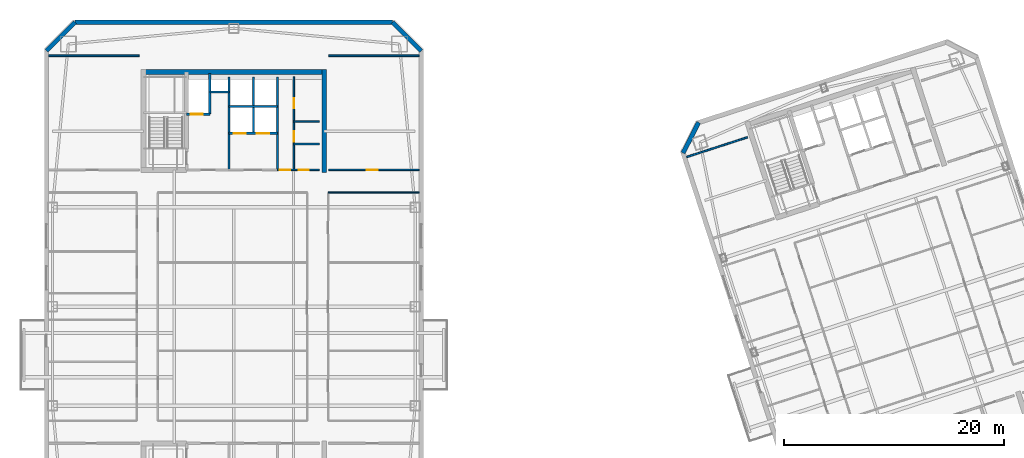
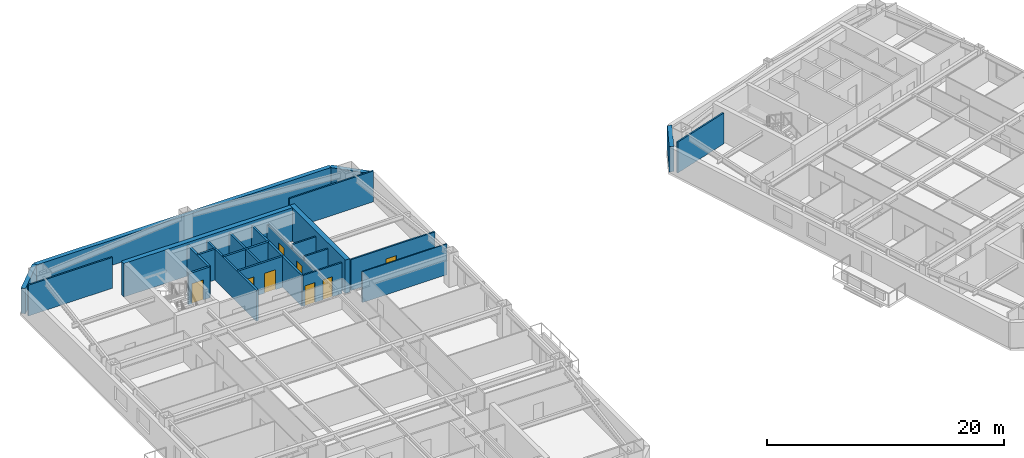
# One storey, part 7 of 15: 23 walls, 8 doors, 8 openings.
"""IFC4 building model written with IfcOpenShell, lengths in metres."""

from ifc_helpers import new_model, si_unit, direction, frame, frame_2d, origin, place, context, subcontext, project, spatial, rectangle, extrude, material, layer, layer_set, type_object, element, fill, save


model = new_model("IFC4")

# Units and contexts
model_context = context("Model", 3, precision=1e-05, world=origin(), true_north=direction((0.0, 1.0)))
body_context = subcontext(model_context, "Body", "Model", "MODEL_VIEW")
ifc_project = project(units=[si_unit("LENGTHUNIT", "METRE"), si_unit("AREAUNIT", "SQUARE_METRE"), si_unit("VOLUMEUNIT", "CUBIC_METRE"), si_unit("PLANEANGLEUNIT", "RADIAN"), si_unit("MASSUNIT", "GRAM", prefix="KILO")], contexts=[model_context])

# Site, building, storey
site_placement = place(None, origin())
site = spatial("IfcSite", under=ifc_project, at=site_placement, CompositionType="ELEMENT")
building_placement = place(site_placement, origin())
building = spatial("IfcBuilding", under=site, at=building_placement, Name="Qiaolan Cultural Towers", CompositionType="ELEMENT")
storey_placement = place(building_placement, frame((0.0, 0.0, 209.300048828125)))
storey = spatial("IfcBuildingStorey", under=building, at=storey_placement, Name="L56", CompositionType="ELEMENT", Elevation=209.300048828125)

# Walls
ifc_material_1 = material(Name="Concrete C50", Category="concrete")
ifc_layer_1 = layer(ifc_material_1, 0.449951171875)
ifc_layer_set_1 = layer_set([ifc_layer_1], Name="Concrete C50")
wall_type_1 = type_object("IfcWallType", Name="WL-CORE-450", PredefinedType="SHEAR", material=ifc_layer_set_1)
wall_1_placement = place(storey_placement, frame((21.574951171875, 55.280029296875, 0.0), z_axis=(0.0, 0.0, 1.0), x_axis=(1.0, 0.0, 0.0)))
element("IfcWall", 1, at=wall_1_placement, inside=storey, type_object=wall_type_1, Name="L56 T1-CN Outer Core Shear Wall", PredefinedType="SHEAR", context=body_context, shape_type="SweptSolid", body=[
    extrude(rectangle(XDim=16.85009765625, YDim=0.449951171875, at=frame_2d((8.425048828125, 0.0))), origin(), (0.0, 0.0, 1.0), 3.449951171875),
])
wall_2_placement = place(storey_placement, frame((38.199951171875, 46.175048828125, 0.0), z_axis=(0.0, 0.0, 1.0), x_axis=(0.0, 1.0, 0.0)))
element("IfcWall", 2, at=wall_2_placement, inside=storey, type_object=wall_type_1, Name="L56 T1-CN East Core Shear Wall", PredefinedType="SHEAR", context=body_context, shape_type="SweptSolid", body=[
    extrude(rectangle(XDim=9.329833984375, YDim=0.449951171875, at=frame_2d((4.6650390625, 0.0))), origin(), (0.0, 0.0, 1.0), 3.449951171875),
])
ifc_material_2 = material(Name="Precast Concrete C50 Honed Stone Pier", Category="masonry")
ifc_layer_2 = layer(ifc_material_2, 0.39990234375)
ifc_layer_set_2 = layer_set([ifc_layer_2], Name="Precast Concrete C50 Honed Stone Pier")
wall_type_2 = type_object("IfcWallType", Name="WL-EXT-PIER-400", PredefinedType="SOLIDWALL", material=ifc_layer_set_2)
wall_3_placement = place(storey_placement, frame((13.0, 57.199951171875, 0.0), z_axis=(0.0, 0.0, 1.0), x_axis=(0.707106781187, 0.707106781187, 0.0)))
element("IfcWall", 3, at=wall_3_placement, inside=storey, type_object=wall_type_2, Name="L56 West Tower Precast Pier Facade Wall F2", PredefinedType="SOLIDWALL", context=body_context, shape_type="SweptSolid", body=[
    extrude(rectangle(XDim=3.677001953125, YDim=0.39990234375, at=frame_2d((1.83837890625, 0.0))), origin(), (0.0, 0.0, 1.0), 2.60986328125),
])
wall_4_placement = place(storey_placement, frame((15.60009765625, 59.800048828125, 0.0), z_axis=(0.0, 0.0, 1.0), x_axis=(1.0, 0.0, 0.0)))
element("IfcWall", 4, at=wall_4_placement, inside=storey, type_object=wall_type_2, Name="L56 West Tower Precast Pier Facade Wall F3", PredefinedType="SOLIDWALL", context=body_context, shape_type="SweptSolid", body=[
    extrude(rectangle(XDim=28.7998046875, YDim=0.39990234375, at=frame_2d((14.39990234375, 0.0))), origin(), (0.0, 0.0, 1.0), 2.60986328125),
])
wall_5_placement = place(storey_placement, frame((44.39990234375, 59.800048828125, 0.0), z_axis=(0.0, 0.0, 1.0), x_axis=(0.707106781187, -0.707106781187, 0.0)))
element("IfcWall", 5, at=wall_5_placement, inside=storey, type_object=wall_type_2, Name="L56 West Tower Precast Pier Facade Wall F4", PredefinedType="SOLIDWALL", context=body_context, shape_type="SweptSolid", body=[
    extrude(rectangle(XDim=3.677001953125, YDim=0.39990234375, at=frame_2d((1.83837890625, 0.0))), origin(), (0.0, 0.0, 1.0), 2.60986328125),
])
wall_6_placement = place(storey_placement, frame((70.752197265625, 47.93408203125, 0.0), z_axis=(0.0, 0.0, 1.0), x_axis=(0.453949291228, 0.891027519774, 0.0)))
element("IfcWall", 6, at=wall_6_placement, inside=storey, type_object=wall_type_2, Name="L56 East Tower Precast Pier Facade Wall F2", PredefinedType="SOLIDWALL", context=body_context, shape_type="SweptSolid", body=[
    extrude(rectangle(XDim=3.111328125, YDim=0.39990234375, at=frame_2d((1.5556640625, 0.0))), origin(), (0.0, 0.0, 1.0), 2.60986328125),
])
ifc_material_3 = material(Name="Concrete C35 Fire Wall", Category="concrete")
ifc_layer_3 = layer(ifc_material_3, 0.199951171875)
ifc_layer_set_3 = layer_set([ifc_layer_3], Name="Concrete C35 Fire Wall")
wall_type_3 = type_object("IfcWallType", Name="WL-FIRE-200", PredefinedType="PARTITIONING", material=ifc_layer_set_3)
wall_7_placement = place(storey_placement, frame((29.550048828125, 46.39990234375, 0.0), z_axis=(0.0, 0.0, 1.0), x_axis=(0.0, 1.0, 0.0)))
element("IfcWall", 7, at=wall_7_placement, inside=storey, type_object=wall_type_3, Name="L56 T1-CN Firefighting Zone Wall", PredefinedType="PARTITIONING", context=body_context, shape_type="SweptSolid", body=[
    extrude(rectangle(XDim=8.43017578125, YDim=0.199951171875, at=frame_2d((4.215087890625, 0.0))), origin(), (0.0, 0.0, 1.0), 3.175048828125),
])

# Wall, opening, door
wall_8_placement = place(storey_placement, frame((25.719970703125, 51.449951171875, 0.0), z_axis=(0.0, 0.0, 1.0), x_axis=(1.0, 0.0, 0.0)))
wall_8 = element("IfcWall", 8, at=wall_8_placement, inside=storey, type_object=wall_type_3, Name="L56 T1-CN Firefighting Shaft Front Wall", PredefinedType="PARTITIONING", context=body_context, shape_type="SweptSolid", body=[
    extrude(rectangle(XDim=2.10009765625, YDim=0.199951171875, at=frame_2d((1.050048828125, 0.0))), origin(), (0.0, 0.0, 1.0), 3.175048828125),
])
opening_1_placement = place(wall_8_placement, frame((0.35009765625, 0.0, 0.0)))
opening_1 = element("IfcOpeningElement", 9, at=opening_1_placement, cuts=wall_8, Name="Opening LD-01", PredefinedType="OPENING", context=body_context, shape_type="SweptSolid", body=[
    extrude(rectangle(XDim=1.10009765625, YDim=2.050048828125, at=frame_2d((0.550048828125, 1.02490234375))), frame((0.0, 0.10986328125, 0.0), z_axis=(0.0, -1.0, 0.0), x_axis=(1.0, 0.0, 0.0)), (0.0, 0.0, 1.0), 0.219970703125),
])
ifc_material_4 = material(Name="Brushed Stainless Steel S30408 Centre-Parting Lift Landing Door", Category="steel")
door_type_1 = type_object("IfcDoorType", Name="DR-LIFT-1100", OperationType="NOTDEFINED", PredefinedType="DOOR", material=ifc_material_4)
door_1_placement = place(opening_1_placement, origin())
door_1 = element("IfcDoor", 10, at=door_1_placement, inside=storey, type_object=door_type_1, Name="L56 FFL-W2 Firefighting Lift Landing Door", OperationType="DOUBLE_DOOR_SLIDING", OverallHeight=2.050048828125, OverallWidth=1.10009765625, PredefinedType="DOOR", context=body_context, shape_type="SweptSolid", body=[
    extrude(rectangle(XDim=1.10009765625, YDim=2.050048828125, at=frame_2d((0.550048828125, 1.02490234375))), frame((0.0, 0.02490234375, 0.0), z_axis=(0.0, -1.0, 0.0), x_axis=(1.0, 0.0, 0.0)), (0.0, 0.0, 1.0), 0.050048828125),
])
fill(opening_1, door_1)

# Walls
wall_9_placement = place(storey_placement, frame((27.820068359375, 51.449951171875, 0.0), z_axis=(0.0, 0.0, 1.0), x_axis=(0.0, 1.0, 0.0)))
element("IfcWall", 11, at=wall_9_placement, inside=storey, type_object=wall_type_3, Name="L56 T1-CN Firefighting Hoistway East Wall", PredefinedType="PARTITIONING", context=body_context, shape_type="SweptSolid", body=[
    extrude(rectangle(XDim=3.699951171875, YDim=0.199951171875, at=frame_2d((1.85009765625, 0.0))), origin(), (0.0, 0.0, 1.0), 3.175048828125),
])
wall_10_placement = place(storey_placement, frame((27.820068359375, 53.47998046875, 0.0), z_axis=(0.0, 0.0, 1.0), x_axis=(1.0, 0.0, 0.0)))
element("IfcWall", 12, at=wall_10_placement, inside=storey, type_object=wall_type_3, Name="L56 T1-CN Pressurization Shaft Front Wall", PredefinedType="PARTITIONING", context=body_context, shape_type="SweptSolid", body=[
    extrude(rectangle(XDim=1.72998046875, YDim=0.199951171875, at=frame_2d((0.864990234375, 0.0))), origin(), (0.0, 0.0, 1.0), 3.175048828125),
])
wall_11_placement = place(storey_placement, frame((33.949951171875, 46.39990234375, 0.0), z_axis=(0.0, 0.0, 1.0), x_axis=(0.0, 1.0, 0.0)))
element("IfcWall", 13, at=wall_11_placement, inside=storey, type_object=wall_type_3, Name="L56 T1-CN Lift Core East Wall", PredefinedType="PARTITIONING", context=body_context, shape_type="SweptSolid", body=[
    extrude(rectangle(XDim=8.43017578125, YDim=0.199951171875, at=frame_2d((4.215087890625, 0.0))), origin(), (0.0, 0.0, 1.0), 3.175048828125),
])

# Wall, openings, doors
wall_12_placement = place(storey_placement, frame((29.550048828125, 49.719970703125, 0.0), z_axis=(0.0, 0.0, 1.0), x_axis=(1.0, 0.0, 0.0)))
wall_12 = element("IfcWall", 14, at=wall_12_placement, inside=storey, type_object=wall_type_3, Name="L56 T1-CN Passenger Lift Shaft Front Wall", PredefinedType="PARTITIONING", context=body_context, shape_type="SweptSolid", body=[
    extrude(rectangle(XDim=4.39990234375, YDim=0.199951171875, at=frame_2d((2.199951171875, 0.0))), origin(), (0.0, 0.0, 1.0), 3.175048828125),
])
opening_2_placement = place(wall_12_placement, frame((0.449951171875, 0.0, 0.0)))
opening_2 = element("IfcOpeningElement", 15, at=opening_2_placement, cuts=wall_12, Name="Opening LD-01", PredefinedType="OPENING", context=body_context, shape_type="SweptSolid", body=[
    extrude(rectangle(XDim=1.10009765625, YDim=2.050048828125, at=frame_2d((0.550048828125, 1.02490234375))), frame((0.0, 0.10986328125, 0.0), z_axis=(0.0, -1.0, 0.0), x_axis=(1.0, 0.0, 0.0)), (0.0, 0.0, 1.0), 0.219970703125),
])
opening_3_placement = place(wall_12_placement, frame((2.550048828125, 0.0, 0.0)))
opening_3 = element("IfcOpeningElement", 16, at=opening_3_placement, cuts=wall_12, Name="Opening LD-01", PredefinedType="OPENING", context=body_context, shape_type="SweptSolid", body=[
    extrude(rectangle(XDim=1.10009765625, YDim=2.050048828125, at=frame_2d((0.550048828125, 1.02490234375))), frame((0.0, 0.10986328125, 0.0), z_axis=(0.0, -1.0, 0.0), x_axis=(1.0, 0.0, 0.0)), (0.0, 0.0, 1.0), 0.219970703125),
])
door_2_placement = place(opening_2_placement, origin())
door_2 = element("IfcDoor", 17, at=door_2_placement, inside=storey, type_object=door_type_1, Name="L56 Passenger Lift 1 Landing Door", OperationType="DOUBLE_DOOR_SLIDING", OverallHeight=2.050048828125, OverallWidth=1.10009765625, PredefinedType="DOOR", context=body_context, shape_type="SweptSolid", body=[
    extrude(rectangle(XDim=1.10009765625, YDim=2.050048828125, at=frame_2d((0.550048828125, 1.02490234375))), frame((0.0, 0.02490234375, 0.0), z_axis=(0.0, -1.0, 0.0), x_axis=(1.0, 0.0, 0.0)), (0.0, 0.0, 1.0), 0.050048828125),
])
fill(opening_2, door_2)
door_3_placement = place(opening_3_placement, origin())
door_3 = element("IfcDoor", 18, at=door_3_placement, inside=storey, type_object=door_type_1, Name="L56 Passenger Lift 2 Landing Door", OperationType="DOUBLE_DOOR_SLIDING", OverallHeight=2.050048828125, OverallWidth=1.10009765625, PredefinedType="DOOR", context=body_context, shape_type="SweptSolid", body=[
    extrude(rectangle(XDim=1.10009765625, YDim=2.050048828125, at=frame_2d((0.550048828125, 1.02490234375))), frame((0.0, 0.02490234375, 0.0), z_axis=(0.0, -1.0, 0.0), x_axis=(1.0, 0.0, 0.0)), (0.0, 0.0, 1.0), 0.050048828125),
])
fill(opening_3, door_3)

# Walls
wall_13_placement = place(storey_placement, frame((31.780029296875, 49.719970703125, 0.0), z_axis=(0.0, 0.0, 1.0), x_axis=(0.0, 1.0, 0.0)))
element("IfcWall", 19, at=wall_13_placement, inside=storey, type_object=wall_type_3, Name="L56 T1-CN Lift Shaft Divider Wall", PredefinedType="PARTITIONING", context=body_context, shape_type="SweptSolid", body=[
    extrude(rectangle(XDim=5.110107421875, YDim=0.199951171875, at=frame_2d((2.55517578125, 0.0))), origin(), (0.0, 0.0, 1.0), 3.175048828125),
])
wall_14_placement = place(storey_placement, frame((29.550048828125, 52.14990234375, 0.0), z_axis=(0.0, 0.0, 1.0), x_axis=(1.0, 0.0, 0.0)))
element("IfcWall", 20, at=wall_14_placement, inside=storey, type_object=wall_type_3, Name="L56 T1-CN Passenger Lift Shaft Back Wall", PredefinedType="PARTITIONING", context=body_context, shape_type="SweptSolid", body=[
    extrude(rectangle(XDim=4.39990234375, YDim=0.199951171875, at=frame_2d((2.199951171875, 0.0))), origin(), (0.0, 0.0, 1.0), 3.175048828125),
])
ifc_material_5 = material(Name="Acoustic Double-Glazed Partition Frame", Category="glass")
ifc_layer_4 = layer(ifc_material_5, 0.10009765625)
ifc_layer_set_4 = layer_set([ifc_layer_4], Name="Acoustic Double-Glazed Partition Frame")
wall_type_4 = type_object("IfcWallType", Name="WL-GLAZED-100", PredefinedType="MOVABLE", material=ifc_layer_set_4)
wall_15_placement = place(storey_placement, frame((38.550048828125, 44.35009765625, 0.0), z_axis=(0.0, 0.0, 1.0), x_axis=(1.0, 0.0, 0.0)))
element("IfcWall", 21, at=wall_15_placement, inside=storey, type_object=wall_type_4, Name="L56 T1 Interior Wall", PredefinedType="MOVABLE", context=body_context, shape_type="SweptSolid", body=[
    extrude(rectangle(XDim=8.25, YDim=0.10009765625, at=frame_2d((4.125, 0.0))), origin(), (0.0, 0.0, 1.0), 3.175048828125),
])

# Wall, openings, doors
ifc_material_6 = material(Name="Autoclaved Aerated Concrete Block B06", Category="concrete")
ifc_layer_5 = layer(ifc_material_6, 0.14990234375)
ifc_layer_set_5 = layer_set([ifc_layer_5], Name="Autoclaved Aerated Concrete Block B06")
wall_type_5 = type_object("IfcWallType", Name="WL-PART-150", PredefinedType="PARTITIONING", material=ifc_layer_set_5)
wall_16_placement = place(storey_placement, frame((33.949951171875, 46.39990234375, 0.0), z_axis=(0.0, 0.0, 1.0), x_axis=(1.0, 0.0, 0.0)))
wall_16 = element("IfcWall", 22, at=wall_16_placement, inside=storey, type_object=wall_type_5, Name="L56 T1-CN Sanitary Core Front Wall", PredefinedType="PARTITIONING", context=body_context, shape_type="SweptSolid", body=[
    extrude(rectangle(XDim=3.800048828125, YDim=0.14990234375, at=frame_2d((1.89990234375, 0.0))), origin(), (0.0, 0.0, 1.0), 3.175048828125),
])
opening_4_placement = place(wall_16_placement, frame((0.219970703125, 0.0, 0.0)))
opening_4 = element("IfcOpeningElement", 23, at=opening_4_placement, cuts=wall_16, Name="Opening ID-05", PredefinedType="OPENING", context=body_context, shape_type="SweptSolid", body=[
    extrude(rectangle(XDim=0.949951171875, YDim=2.050048828125, at=frame_2d((0.47509765625, 1.02490234375))), frame((0.0, 0.0849609375, 0.0), z_axis=(0.0, -1.0, 0.0), x_axis=(1.0, 0.0, 0.0)), (0.0, 0.0, 1.0), 0.169921875),
])
opening_5_placement = place(wall_16_placement, frame((1.949951171875, 0.0, 0.0)))
opening_5 = element("IfcOpeningElement", 24, at=opening_5_placement, cuts=wall_16, Name="Opening ID-06", PredefinedType="OPENING", context=body_context, shape_type="SweptSolid", body=[
    extrude(rectangle(XDim=0.89990234375, YDim=2.050048828125, at=frame_2d((0.449951171875, 1.02490234375))), frame((0.0, 0.0849609375, 0.0), z_axis=(0.0, -1.0, 0.0), x_axis=(1.0, 0.0, 0.0)), (0.0, 0.0, 1.0), 0.169921875),
])
ifc_material_7 = material(Name="Fire-Rated Laminate Core Service Door", Category="timber")
door_type_2 = type_object("IfcDoorType", Name="DR-INT-900", OperationType="NOTDEFINED", PredefinedType="DOOR", material=ifc_material_7)
door_4_placement = place(opening_5_placement, origin())
door_4 = element("IfcDoor", 25, at=door_4_placement, inside=storey, type_object=door_type_2, Name="L56 Core Tea Pantry Door", OperationType="SINGLE_SWING_RIGHT", OverallHeight=2.050048828125, OverallWidth=0.89990234375, PredefinedType="DOOR", context=body_context, shape_type="SweptSolid", body=[
    extrude(rectangle(XDim=0.89990234375, YDim=2.050048828125, at=frame_2d((0.449951171875, 1.02490234375))), frame((0.0, 0.02490234375, 0.0), z_axis=(0.0, -1.0, 0.0), x_axis=(1.0, 0.0, 0.0)), (0.0, 0.0, 1.0), 0.050048828125),
])
fill(opening_5, door_4)
ifc_material_8 = material(Name="Fire-Rated Laminate Accessible Core Door", Category="timber")
door_type_3 = type_object("IfcDoorType", Name="DR-INT-950", OperationType="NOTDEFINED", PredefinedType="DOOR", material=ifc_material_8)
door_5_placement = place(opening_4_placement, origin())
door_5 = element("IfcDoor", 26, at=door_5_placement, inside=storey, type_object=door_type_3, Name="L56 Sanitary Passage Door", OperationType="SINGLE_SWING_LEFT", OverallHeight=2.050048828125, OverallWidth=0.949951171875, PredefinedType="DOOR", context=body_context, shape_type="SweptSolid", body=[
    extrude(rectangle(XDim=0.949951171875, YDim=2.050048828125, at=frame_2d((0.47509765625, 1.02490234375))), frame((0.0, 0.02490234375, 0.0), z_axis=(0.0, -1.0, 0.0), x_axis=(1.0, 0.0, 0.0)), (0.0, 0.0, 1.0), 0.050048828125),
])
fill(opening_4, door_5)

wall_17_placement = place(storey_placement, frame((35.449951171875, 46.39990234375, 0.0), z_axis=(0.0, 0.0, 1.0), x_axis=(0.0, 1.0, 0.0)))
wall_17 = element("IfcWall", 27, at=wall_17_placement, inside=storey, type_object=wall_type_5, Name="L56 T1-CN Sanitary Corridor Wall", PredefinedType="PARTITIONING", context=body_context, shape_type="SweptSolid", body=[
    extrude(rectangle(XDim=8.43017578125, YDim=0.14990234375, at=frame_2d((4.215087890625, 0.0))), origin(), (0.0, 0.0, 1.0), 2.764892578125),
])
opening_6_placement = place(wall_17_placement, frame((2.550048828125, 0.0, 0.0)))
opening_6 = element("IfcOpeningElement", 28, at=opening_6_placement, cuts=wall_17, Name="Opening ID-05", PredefinedType="OPENING", context=body_context, shape_type="SweptSolid", body=[
    extrude(rectangle(XDim=0.949951171875, YDim=2.050048828125, at=frame_2d((0.47509765625, 1.02490234375))), frame((0.0, 0.0849609375, 0.0), z_axis=(0.0, -1.0, 0.0), x_axis=(1.0, 0.0, 0.0)), (0.0, 0.0, 1.0), 0.169921875),
])
opening_7_placement = place(wall_17_placement, frame((5.60009765625, 0.0, 0.0)))
opening_7 = element("IfcOpeningElement", 29, at=opening_7_placement, cuts=wall_17, Name="Opening ID-06", PredefinedType="OPENING", context=body_context, shape_type="SweptSolid", body=[
    extrude(rectangle(XDim=0.89990234375, YDim=2.050048828125, at=frame_2d((0.449951171875, 1.02490234375))), frame((0.0, 0.0849609375, 0.0), z_axis=(0.0, -1.0, 0.0), x_axis=(1.0, 0.0, 0.0)), (0.0, 0.0, 1.0), 0.169921875),
])
door_6_placement = place(opening_7_placement, origin())
door_6 = element("IfcDoor", 30, at=door_6_placement, inside=storey, type_object=door_type_2, Name="L56 Staff Restroom Door", OperationType="SINGLE_SWING_RIGHT", OverallHeight=2.050048828125, OverallWidth=0.89990234375, PredefinedType="DOOR", context=body_context, shape_type="SweptSolid", body=[
    extrude(rectangle(XDim=0.89990234375, YDim=2.050048828125, at=frame_2d((0.449951171875, 1.02490234375))), frame((0.0, 0.02490234375, 0.0), z_axis=(0.0, -1.0, 0.0), x_axis=(1.0, 0.0, 0.0)), (0.0, 0.0, 1.0), 0.050048828125),
])
fill(opening_7, door_6)
door_7_placement = place(opening_6_placement, origin())
door_7 = element("IfcDoor", 31, at=door_7_placement, inside=storey, type_object=door_type_3, Name="L56 Accessible Washroom Door", OperationType="SINGLE_SWING_LEFT", OverallHeight=2.050048828125, OverallWidth=0.949951171875, PredefinedType="DOOR", context=body_context, shape_type="SweptSolid", body=[
    extrude(rectangle(XDim=0.949951171875, YDim=2.050048828125, at=frame_2d((0.47509765625, 1.02490234375))), frame((0.0, 0.02490234375, 0.0), z_axis=(0.0, -1.0, 0.0), x_axis=(1.0, 0.0, 0.0)), (0.0, 0.0, 1.0), 0.050048828125),
])
fill(opening_6, door_7)

# Walls
for number, where, z_axis, x_axis, name in (
    (32, (35.449951171875, 50.800048828125, 0.0), (0.0, 0.0, 1.0), (1.0, 0.0, 0.0), "L56 T1-CN Restroom Split Wall"),
    (33, (35.449951171875, 48.75, 0.0), (0.0, 0.0, 1.0), (1.0, 0.0, 0.0), "L56 T1-CN Core Pantry Wall"),
):
    element("IfcWall", number, at=place(storey_placement, frame(where, z_axis=z_axis, x_axis=x_axis)), inside=storey, type_object=wall_type_5, Name=name, PredefinedType="PARTITIONING", context=body_context, shape_type="SweptSolid", body=[
        extrude(rectangle(XDim=2.300048828125, YDim=0.14990234375, at=frame_2d((1.14990234375, 0.0))), origin(), (0.0, 0.0, 1.0), 3.175048828125),
    ])
for number, where, z_axis, x_axis, name in (
    (34, (13.199951171875, 56.75, 0.0), (0.0, 0.0, 1.0), (1.0, 0.0, 0.0), "L56 T1 Flank Wall FLK-NW"),
    (35, (38.60009765625, 56.75, 0.0), (0.0, 0.0, 1.0), (1.0, 0.0, 0.0), "L56 T1 Flank Wall FLK-NE"),
):
    element("IfcWall", number, at=place(storey_placement, frame(where, z_axis=z_axis, x_axis=x_axis)), inside=storey, type_object=wall_type_5, Name=name, PredefinedType="PARTITIONING", context=body_context, shape_type="SweptSolid", body=[
        extrude(rectangle(XDim=8.199951171875, YDim=0.14990234375, at=frame_2d((4.10009765625, 0.0))), origin(), (0.0, 0.0, 1.0), 3.175048828125),
    ])

# Wall, opening, door
wall_18_placement = place(storey_placement, frame((38.60009765625, 46.39990234375, 0.0), z_axis=(0.0, 0.0, 1.0), x_axis=(1.0, 0.0, 0.0)))
wall_18 = element("IfcWall", 36, at=wall_18_placement, inside=storey, type_object=wall_type_5, Name="L56 T1 Flank Front FLK-NE", PredefinedType="PARTITIONING", context=body_context, shape_type="SweptSolid", body=[
    extrude(rectangle(XDim=8.199951171875, YDim=0.14990234375, at=frame_2d((4.10009765625, 0.0))), origin(), (0.0, 0.0, 1.0), 3.175048828125),
])
opening_8_placement = place(wall_18_placement, frame((3.444091796875, 0.0, 0.0)))
opening_8 = element("IfcOpeningElement", 37, at=opening_8_placement, cuts=wall_18, Name="Opening ID-04", PredefinedType="OPENING", context=body_context, shape_type="SweptSolid", body=[
    extrude(rectangle(XDim=1.0, YDim=2.050048828125, at=frame_2d((0.5, 1.02490234375))), frame((0.0, 0.0849609375, 0.0), z_axis=(0.0, -1.0, 0.0), x_axis=(1.0, 0.0, 0.0)), (0.0, 0.0, 1.0), 0.169921875),
])
ifc_material_9 = material(Name="Oak Veneer Acoustic Office Door", Category="timber")
door_type_4 = type_object("IfcDoorType", Name="DR-INT-1000", OperationType="NOTDEFINED", PredefinedType="DOOR", material=ifc_material_9)
door_8_placement = place(opening_8_placement, origin())
door_8 = element("IfcDoor", 38, at=door_8_placement, inside=storey, type_object=door_type_4, Name="L56 T1 Corner Studio Door", OperationType="SINGLE_SWING_LEFT", OverallHeight=2.050048828125, OverallWidth=1.0, PredefinedType="DOOR", context=body_context, shape_type="SweptSolid", body=[
    extrude(rectangle(XDim=1.0, YDim=2.050048828125, at=frame_2d((0.5, 1.02490234375))), frame((0.0, 0.02490234375, 0.0), z_axis=(0.0, -1.0, 0.0), x_axis=(1.0, 0.0, 0.0)), (0.0, 0.0, 1.0), 0.050048828125),
])
fill(opening_8, door_8)

# Wall
wall_19_placement = place(storey_placement, frame((71.081298828125, 47.56787109375, 0.0), z_axis=(0.0, 0.0, 1.0), x_axis=(0.951059431056, 0.309008023519, 0.0)))
element("IfcWall", 39, at=wall_19_placement, inside=storey, type_object=wall_type_5, Name="L56 T2 Flank Wall FLK-NW", PredefinedType="PARTITIONING", context=body_context, shape_type="SweptSolid", body=[
    extrude(rectangle(XDim=5.800048828125, YDim=0.14990234375, at=frame_2d((2.89990234375, 0.0))), origin(), (0.0, 0.0, 1.0), 3.175048828125),
])

save(model, "model.ifc")
